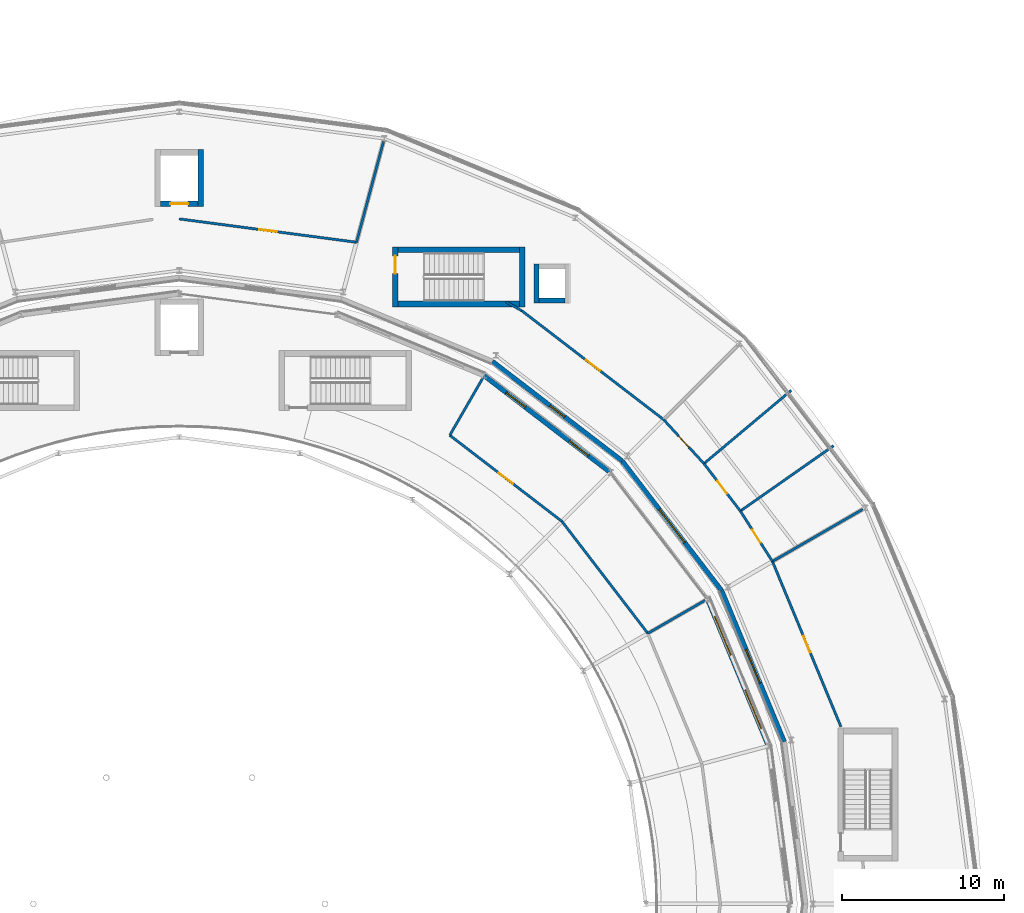
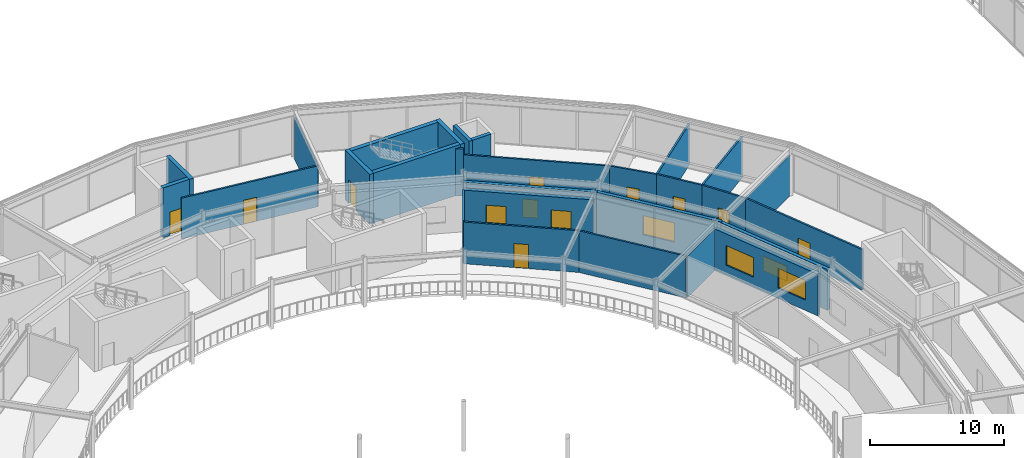
# One storey, part 106 of 133: 28 walls, 9 doors, 7 windows, 16 openings.
"""IFC4 building model written with IfcOpenShell, lengths in metres."""

from ifc_helpers import new_model, si_unit, direction, frame, frame_2d, origin, place, context, subcontext, project, spatial, rectangle, extrude, material, layer, layer_set, type_object, element, fill, save


model = new_model("IFC4")

# Units and contexts
model_context = context("Model", 3, precision=1e-05, world=origin(), true_north=direction((0.0, 1.0)))
body_context = subcontext(model_context, "Body", "Model", "MODEL_VIEW")
ifc_project = project(units=[si_unit("LENGTHUNIT", "METRE"), si_unit("AREAUNIT", "SQUARE_METRE"), si_unit("VOLUMEUNIT", "CUBIC_METRE"), si_unit("PLANEANGLEUNIT", "RADIAN"), si_unit("MASSUNIT", "GRAM", prefix="KILO")], contexts=[model_context])

# Site, building, storey
site_placement = place(None, origin())
site = spatial("IfcSite", under=ifc_project, at=site_placement, CompositionType="ELEMENT")
building_placement = place(site_placement, origin())
building = spatial("IfcBuilding", under=site, at=building_placement, Name="Almandine Court Research Institute", CompositionType="ELEMENT")
storey_placement = place(building_placement, frame((0.0, 0.0, 9.800048828125)))
storey = spatial("IfcBuildingStorey", under=building, at=storey_placement, Name="L02", CompositionType="ELEMENT", Elevation=9.800048828125)

# Wall, opening, window
ifc_material_1 = material(Name="Insulated Ochre Terracotta Rainscreen Wall", Category="masonry")
ifc_layer_1 = layer(ifc_material_1, 0.2900390625)
ifc_layer_set_1 = layer_set([ifc_layer_1], Name="Insulated Ochre Terracotta Rainscreen Wall")
wall_type_1 = type_object("IfcWallType", Name="Wall-EXT-TERR-290", PredefinedType="SOLIDWALL", material=ifc_layer_set_1)
wall_1_placement = place(storey_placement, frame((124.341064453125, 66.011962890625, 0.0), z_axis=(0.0, 0.0, 1.0), x_axis=(-0.382733240508, 0.92385889973, 0.0)))
wall_1 = element("IfcWall", 1, at=wall_1_placement, inside=storey, type_object=wall_type_1, Name="L02 Drum Inner Gallery Wall 01", PredefinedType="SOLIDWALL", context=body_context, shape_type="SweptSolid", body=[
    extrude(rectangle(XDim=10.08056640625, YDim=0.2900390625, at=frame_2d((5.040283203125, 0.0))), origin(), (0.0, 0.0, 1.0), 3.73291015625),
])
opening_1_placement = place(wall_1_placement, frame((3.909912109375, 0.0, 0.949951171875)))
opening_1 = element("IfcOpeningElement", 2, at=opening_1_placement, cuts=wall_1, Name="Opening WN-106", PredefinedType="OPENING", context=body_context, shape_type="SweptSolid", body=[
    extrude(rectangle(XDim=2.260009765625, YDim=1.35009765625, at=frame_2d((1.1298828125, 0.675048828125))), frame((0.0, 0.155029296875, 0.0), z_axis=(0.0, -1.0, 0.0), x_axis=(1.0, 0.0, 0.0)), (0.0, 0.0, 1.0), 0.31005859375),
])
ifc_material_2 = material(Name="Thermally Broken Low-E Double-Glazed Window", Category="glass")
window_type_1 = type_object("IfcWindowType", Name="Win-WN-106-2260x1350", PartitioningType="SINGLE_PANEL", PredefinedType="WINDOW", material=ifc_material_2)
window_1_placement = place(opening_1_placement, origin())
window_1 = element("IfcWindow", 3, at=window_1_placement, inside=storey, type_object=window_type_1, Name="L02 Modular Recessed Low-E Window 261", OverallHeight=1.35009765625, OverallWidth=2.260009765625, PartitioningType="SINGLE_PANEL", PredefinedType="WINDOW", context=body_context, shape_type="SweptSolid", body=[
    extrude(rectangle(XDim=2.260009765625, YDim=1.35009765625, at=frame_2d((1.1298828125, 0.675048828125))), frame((0.0, 0.030029296875, 0.0), z_axis=(0.0, -1.0, 0.0), x_axis=(1.0, 0.0, 0.0)), (0.0, 0.0, 1.0), 0.06005859375),
])
fill(opening_1, window_1)

wall_2_placement = place(storey_placement, frame((120.47705078125, 75.3349609375, 0.0), z_axis=(0.0, 0.0, 1.0), x_axis=(-0.608737604027, 0.793371621275, 0.0)))
wall_2 = element("IfcWall", 4, at=wall_2_placement, inside=storey, type_object=wall_type_1, Name="L02 Drum Inner Gallery Wall 02", PredefinedType="SOLIDWALL", context=body_context, shape_type="SweptSolid", body=[
    extrude(rectangle(XDim=10.079833984375, YDim=0.2900390625, at=frame_2d((5.0400390625, 0.0))), origin(), (0.0, 0.0, 1.0), 3.81396484375),
])
opening_2_placement = place(wall_2_placement, frame((3.7451171875, 0.0, 0.949951171875)))
opening_2 = element("IfcOpeningElement", 5, at=opening_2_placement, cuts=wall_2, Name="Opening WN-119", PredefinedType="OPENING", context=body_context, shape_type="SweptSolid", body=[
    extrude(rectangle(XDim=2.590087890625, YDim=1.75, at=frame_2d((1.294921875, 0.875))), frame((0.0, 0.155029296875, 0.0), z_axis=(0.0, -1.0, 0.0), x_axis=(1.0, 0.0, 0.0)), (0.0, 0.0, 1.0), 0.31005859375),
])
window_type_2 = type_object("IfcWindowType", Name="Win-WN-119-2590x1750", PartitioningType="SINGLE_PANEL", PredefinedType="WINDOW", material=ifc_material_2)
window_2_placement = place(opening_2_placement, origin())
window_2 = element("IfcWindow", 6, at=window_2_placement, inside=storey, type_object=window_type_2, Name="L02 Modular Recessed Low-E Window 262", OverallHeight=1.75, OverallWidth=2.590087890625, PartitioningType="SINGLE_PANEL", PredefinedType="WINDOW", context=body_context, shape_type="SweptSolid", body=[
    extrude(rectangle(XDim=2.590087890625, YDim=1.75, at=frame_2d((1.294921875, 0.875))), frame((0.0, 0.030029296875, 0.0), z_axis=(0.0, -1.0, 0.0), x_axis=(1.0, 0.0, 0.0)), (0.0, 0.0, 1.0), 0.06005859375),
])
fill(opening_2, window_2)

wall_3_placement = place(storey_placement, frame((114.33203125, 83.341064453125, 0.0), z_axis=(0.0, 0.0, 1.0), x_axis=(-0.793371621275, 0.608737604027, 0.0)))
wall_3 = element("IfcWall", 7, at=wall_3_placement, inside=storey, type_object=wall_type_1, Name="L02 Drum Inner Gallery Wall 03", PredefinedType="SOLIDWALL", context=body_context, shape_type="SweptSolid", body=[
    extrude(rectangle(XDim=10.079833984375, YDim=0.2900390625, at=frame_2d((5.0400390625, 0.0))), origin(), (0.0, 0.0, 1.0), 3.81396484375),
])
opening_3_placement = place(wall_3_placement, frame((4.4599609375, 0.0, 0.949951171875)))
opening_3 = element("IfcOpeningElement", 8, at=opening_3_placement, cuts=wall_3, Name="Opening WN-107", PredefinedType="OPENING", context=body_context, shape_type="SweptSolid", body=[
    extrude(rectangle(XDim=1.159912109375, YDim=1.669921875, at=frame_2d((0.580078125, 0.8349609375))), frame((0.0, 0.155029296875, 0.0), z_axis=(0.0, -1.0, 0.0), x_axis=(1.0, 0.0, 0.0)), (0.0, 0.0, 1.0), 0.31005859375),
])
window_type_3 = type_object("IfcWindowType", Name="Win-WN-107-1160x1670", PartitioningType="SINGLE_PANEL", PredefinedType="WINDOW", material=ifc_material_2)
window_3_placement = place(opening_3_placement, origin())
window_3 = element("IfcWindow", 9, at=window_3_placement, inside=storey, type_object=window_type_3, Name="L02 Modular Recessed Low-E Window 263", OverallHeight=1.669921875, OverallWidth=1.159912109375, PartitioningType="SINGLE_PANEL", PredefinedType="WINDOW", context=body_context, shape_type="SweptSolid", body=[
    extrude(rectangle(XDim=1.159912109375, YDim=1.669921875, at=frame_2d((0.580078125, 0.8349609375))), frame((0.0, 0.030029296875, 0.0), z_axis=(0.0, -1.0, 0.0), x_axis=(1.0, 0.0, 0.0)), (0.0, 0.0, 1.0), 0.06005859375),
])
fill(opening_3, window_3)

# Wall, openings, windows
wall_4_placement = place(storey_placement, frame((119.60693359375, 74.821044921875, 0.0), z_axis=(0.0, 0.0, 1.0), x_axis=(0.382759423628, -0.923848052238, 0.0)))
wall_4 = element("IfcWall", 10, at=wall_4_placement, inside=storey, type_object=wall_type_1, Name="L02 Interaction Atrium Perimeter Wall 01", PredefinedType="SOLIDWALL", context=body_context, shape_type="SweptSolid", body=[
    extrude(rectangle(XDim=9.82080078125, YDim=0.2900390625, at=frame_2d((4.910400390625, 0.0))), origin(), (0.0, 0.0, 1.0), 3.81103515625),
])
opening_4_placement = place(wall_4_placement, frame((1.159912109375, 0.0, 0.949951171875)))
opening_4 = element("IfcOpeningElement", 11, at=opening_4_placement, cuts=wall_4, Name="Opening WN-13", PredefinedType="OPENING", context=body_context, shape_type="SweptSolid", body=[
    extrude(rectangle(XDim=2.590087890625, YDim=1.800048828125, at=frame_2d((1.294921875, 0.89990234375))), frame((0.0, 0.155029296875, 0.0), z_axis=(0.0, -1.0, 0.0), x_axis=(1.0, 0.0, 0.0)), (0.0, 0.0, 1.0), 0.31005859375),
])
opening_5_placement = place(wall_4_placement, frame((6.071044921875, 0.0, 0.949951171875)))
opening_5 = element("IfcOpeningElement", 12, at=opening_5_placement, cuts=wall_4, Name="Opening WN-13", PredefinedType="OPENING", context=body_context, shape_type="SweptSolid", body=[
    extrude(rectangle(XDim=2.590087890625, YDim=1.800048828125, at=frame_2d((1.294921875, 0.89990234375))), frame((0.0, 0.155029296875, 0.0), z_axis=(0.0, -1.0, 0.0), x_axis=(1.0, 0.0, 0.0)), (0.0, 0.0, 1.0), 0.31005859375),
])
window_type_4 = type_object("IfcWindowType", Name="Win-WN-13-2590x1800", PartitioningType="SINGLE_PANEL", PredefinedType="WINDOW", material=ifc_material_2)
window_4_placement = place(opening_4_placement, origin())
window_4 = element("IfcWindow", 13, at=window_4_placement, inside=storey, type_object=window_type_4, Name="L02 Modular Recessed Low-E Window 358", OverallHeight=1.800048828125, OverallWidth=2.590087890625, PartitioningType="SINGLE_PANEL", PredefinedType="WINDOW", context=body_context, shape_type="SweptSolid", body=[
    extrude(rectangle(XDim=2.590087890625, YDim=1.800048828125, at=frame_2d((1.294921875, 0.89990234375))), frame((0.0, 0.030029296875, 0.0), z_axis=(0.0, -1.0, 0.0), x_axis=(1.0, 0.0, 0.0)), (0.0, 0.0, 1.0), 0.06005859375),
])
fill(opening_4, window_4)
window_5_placement = place(opening_5_placement, origin())
window_5 = element("IfcWindow", 14, at=window_5_placement, inside=storey, type_object=window_type_4, Name="L02 Modular Recessed Low-E Window 359", OverallHeight=1.800048828125, OverallWidth=2.590087890625, PartitioningType="SINGLE_PANEL", PredefinedType="WINDOW", context=body_context, shape_type="SweptSolid", body=[
    extrude(rectangle(XDim=2.590087890625, YDim=1.800048828125, at=frame_2d((1.294921875, 0.89990234375))), frame((0.0, 0.030029296875, 0.0), z_axis=(0.0, -1.0, 0.0), x_axis=(1.0, 0.0, 0.0)), (0.0, 0.0, 1.0), 0.06005859375),
])
fill(opening_5, window_5)

wall_5_placement = place(storey_placement, frame((105.827880859375, 88.60302734375, 0.0), z_axis=(0.0, 0.0, 1.0), x_axis=(0.793364612762, -0.608746738158, 0.0)))
wall_5 = element("IfcWall", 15, at=wall_5_placement, inside=storey, type_object=wall_type_1, Name="L02 Interaction Atrium Perimeter Wall 03", PredefinedType="SOLIDWALL", context=body_context, shape_type="SweptSolid", body=[
    extrude(rectangle(XDim=9.8203125, YDim=0.2900390625, at=frame_2d((4.91015625, 0.0))), origin(), (0.0, 0.0, 1.0), 3.81103515625),
])
opening_6_placement = place(wall_5_placement, frame((1.7099609375, 0.0, 0.949951171875)))
opening_6 = element("IfcOpeningElement", 16, at=opening_6_placement, cuts=wall_5, Name="Opening WN-14", PredefinedType="OPENING", context=body_context, shape_type="SweptSolid", body=[
    extrude(rectangle(XDim=1.489990234375, YDim=1.639892578125, at=frame_2d((0.7451171875, 0.81982421875))), frame((0.0, 0.155029296875, 0.0), z_axis=(0.0, -1.0, 0.0), x_axis=(1.0, 0.0, 0.0)), (0.0, 0.0, 1.0), 0.31005859375),
])
opening_7_placement = place(wall_5_placement, frame((6.6201171875, 0.0, 0.949951171875)))
opening_7 = element("IfcOpeningElement", 17, at=opening_7_placement, cuts=wall_5, Name="Opening WN-14", PredefinedType="OPENING", context=body_context, shape_type="SweptSolid", body=[
    extrude(rectangle(XDim=1.489990234375, YDim=1.639892578125, at=frame_2d((0.7451171875, 0.81982421875))), frame((0.0, 0.155029296875, 0.0), z_axis=(0.0, -1.0, 0.0), x_axis=(1.0, 0.0, 0.0)), (0.0, 0.0, 1.0), 0.31005859375),
])
window_type_5 = type_object("IfcWindowType", Name="Win-WN-14-1490x1640", PartitioningType="SINGLE_PANEL", PredefinedType="WINDOW", material=ifc_material_2)
window_6_placement = place(opening_6_placement, origin())
window_6 = element("IfcWindow", 18, at=window_6_placement, inside=storey, type_object=window_type_5, Name="L02 Modular Recessed Low-E Window 360", OverallHeight=1.639892578125, OverallWidth=1.489990234375, PartitioningType="SINGLE_PANEL", PredefinedType="WINDOW", context=body_context, shape_type="SweptSolid", body=[
    extrude(rectangle(XDim=1.489990234375, YDim=1.639892578125, at=frame_2d((0.7451171875, 0.81982421875))), frame((0.0, 0.030029296875, 0.0), z_axis=(0.0, -1.0, 0.0), x_axis=(1.0, 0.0, 0.0)), (0.0, 0.0, 1.0), 0.06005859375),
])
fill(opening_6, window_6)
window_7_placement = place(opening_7_placement, origin())
window_7 = element("IfcWindow", 19, at=window_7_placement, inside=storey, type_object=window_type_5, Name="L02 Modular Recessed Low-E Window 361", OverallHeight=1.639892578125, OverallWidth=1.489990234375, PartitioningType="SINGLE_PANEL", PredefinedType="WINDOW", context=body_context, shape_type="SweptSolid", body=[
    extrude(rectangle(XDim=1.489990234375, YDim=1.639892578125, at=frame_2d((0.7451171875, 0.81982421875))), frame((0.0, 0.030029296875, 0.0), z_axis=(0.0, -1.0, 0.0), x_axis=(1.0, 0.0, 0.0)), (0.0, 0.0, 1.0), 0.06005859375),
])
fill(opening_7, window_7)

# Wall, opening, door
ifc_material_3 = material(Name="Acoustic Steel-Stud Gypsum Partition Wall", Category="steel")
ifc_layer_2 = layer(ifc_material_3, 0.14990234375)
ifc_layer_set_2 = layer_set([ifc_layer_2], Name="Acoustic Steel-Stud Gypsum Partition Wall")
wall_type_2 = type_object("IfcWallType", Name="Wall-PART-150", PredefinedType="PARTITIONING", material=ifc_layer_set_2)
wall_6_placement = place(storey_placement, frame((123.615966796875, 77.139892578125, 0.0), z_axis=(0.0, 0.0, 1.0), x_axis=(-0.537290836095, 0.843397034289, 0.0)))
wall_6 = element("IfcWall", 20, at=wall_6_placement, inside=storey, type_object=wall_type_2, Name="L02 Interior Partition W-V5-L02-WC-1", PredefinedType="PARTITIONING", context=body_context, shape_type="SweptSolid", body=[
    extrude(rectangle(XDim=3.688720703125, YDim=0.14990234375, at=frame_2d((1.84423828125, 0.0))), origin(), (0.0, 0.0, 1.0), 3.737060546875),
])
opening_8_placement = place(wall_6_placement, frame((1.368896484375, 0.0, 0.0)))
opening_8 = element("IfcOpeningElement", 21, at=opening_8_placement, cuts=wall_6, Name="Opening D-01", PredefinedType="OPENING", context=body_context, shape_type="SweptSolid", body=[
    extrude(rectangle(XDim=0.949951171875, YDim=2.10009765625, at=frame_2d((0.47509765625, 1.050048828125))), frame((0.0, 0.0849609375, 0.0), z_axis=(0.0, -1.0, 0.0), x_axis=(1.0, 0.0, 0.0)), (0.0, 0.0, 1.0), 0.169921875),
])
ifc_material_4 = material(Name="Solid-Core Timber Acoustic Room Door", Category="wood")
door_type_1 = type_object("IfcDoorType", Name="Door-INT-950", OperationType="NOTDEFINED", PredefinedType="DOOR", material=ifc_material_4)
door_1_placement = place(opening_8_placement, origin())
door_1 = element("IfcDoor", 22, at=door_1_placement, inside=storey, type_object=door_type_1, Name="L02 Drum Male Toilet Door", OperationType="SINGLE_SWING_LEFT", OverallHeight=2.10009765625, OverallWidth=0.949951171875, PredefinedType="DOOR", context=body_context, shape_type="SweptSolid", body=[
    extrude(rectangle(XDim=0.949951171875, YDim=2.10009765625, at=frame_2d((0.47509765625, 1.050048828125))), frame((0.0, 0.02490234375, 0.0), z_axis=(0.0, -1.0, 0.0), x_axis=(1.0, 0.0, 0.0)), (0.0, 0.0, 1.0), 0.050048828125),
])
fill(opening_8, door_1)

wall_7_placement = place(storey_placement, frame((121.634033203125, 80.2509765625, 0.0), z_axis=(0.0, 0.0, 1.0), x_axis=(-0.608910806106, 0.793238696867, 0.0)))
wall_7 = element("IfcWall", 23, at=wall_7_placement, inside=storey, type_object=wall_type_2, Name="L02 Interior Partition W-V5-L02-WC-2", PredefinedType="PARTITIONING", context=body_context, shape_type="SweptSolid", body=[
    extrude(rectangle(XDim=3.688720703125, YDim=0.14990234375, at=frame_2d((1.84423828125, 0.0))), origin(), (0.0, 0.0, 1.0), 3.737060546875),
])
opening_9_placement = place(wall_7_placement, frame((1.368896484375, 0.0, 0.0)))
opening_9 = element("IfcOpeningElement", 24, at=opening_9_placement, cuts=wall_7, Name="Opening D-01", PredefinedType="OPENING", context=body_context, shape_type="SweptSolid", body=[
    extrude(rectangle(XDim=0.949951171875, YDim=2.10009765625, at=frame_2d((0.47509765625, 1.050048828125))), frame((0.0, 0.0849609375, 0.0), z_axis=(0.0, -1.0, 0.0), x_axis=(1.0, 0.0, 0.0)), (0.0, 0.0, 1.0), 0.169921875),
])
door_2_placement = place(opening_9_placement, origin())
door_2 = element("IfcDoor", 25, at=door_2_placement, inside=storey, type_object=door_type_1, Name="L02 Drum Female Toilet Door", OperationType="SINGLE_SWING_RIGHT", OverallHeight=2.10009765625, OverallWidth=0.949951171875, PredefinedType="DOOR", context=body_context, shape_type="SweptSolid", body=[
    extrude(rectangle(XDim=0.949951171875, YDim=2.10009765625, at=frame_2d((0.47509765625, 1.050048828125))), frame((0.0, 0.02490234375, 0.0), z_axis=(0.0, -1.0, 0.0), x_axis=(1.0, 0.0, 0.0)), (0.0, 0.0, 1.0), 0.050048828125),
])
fill(opening_9, door_2)

wall_8_placement = place(storey_placement, frame((119.387939453125, 83.177001953125, 0.0), z_axis=(0.0, 0.0, 1.0), x_axis=(-0.675655682507, 0.737217334778, 0.0)))
wall_8 = element("IfcWall", 26, at=wall_8_placement, inside=storey, type_object=wall_type_2, Name="L02 Interior Partition W-V5-L02-WC-3", PredefinedType="PARTITIONING", context=body_context, shape_type="SweptSolid", body=[
    extrude(rectangle(XDim=3.688232421875, YDim=0.14990234375, at=frame_2d((1.84423828125, 0.0))), origin(), (0.0, 0.0, 1.0), 3.737060546875),
])
opening_10_placement = place(wall_8_placement, frame((1.368896484375, 0.0, 0.0)))
opening_10 = element("IfcOpeningElement", 27, at=opening_10_placement, cuts=wall_8, Name="Opening D-01", PredefinedType="OPENING", context=body_context, shape_type="SweptSolid", body=[
    extrude(rectangle(XDim=0.949951171875, YDim=2.10009765625, at=frame_2d((0.47509765625, 1.050048828125))), frame((0.0, 0.0849609375, 0.0), z_axis=(0.0, -1.0, 0.0), x_axis=(1.0, 0.0, 0.0)), (0.0, 0.0, 1.0), 0.169921875),
])
door_3_placement = place(opening_10_placement, origin())
door_3 = element("IfcDoor", 28, at=door_3_placement, inside=storey, type_object=door_type_1, Name="L02 Drum Accessible WC Door", OperationType="SINGLE_SWING_LEFT", OverallHeight=2.10009765625, OverallWidth=0.949951171875, PredefinedType="DOOR", context=body_context, shape_type="SweptSolid", body=[
    extrude(rectangle(XDim=0.949951171875, YDim=2.10009765625, at=frame_2d((0.47509765625, 1.050048828125))), frame((0.0, 0.02490234375, 0.0), z_axis=(0.0, -1.0, 0.0), x_axis=(1.0, 0.0, 0.0)), (0.0, 0.0, 1.0), 0.050048828125),
])
fill(opening_10, door_3)

# Walls
wall_9_placement = place(storey_placement, frame((123.615966796875, 77.139892578125, 0.0), z_axis=(0.0, 0.0, 1.0), x_axis=(0.866008816382, 0.500028729123, 0.0)))
element("IfcWall", 29, at=wall_9_placement, inside=storey, type_object=wall_type_2, Name="L02 Interior Partition W-V5-L02-WCRAD-1", PredefinedType="PARTITIONING", context=body_context, shape_type="SweptSolid", body=[
    extrude(rectangle(XDim=6.43994140625, YDim=0.14990234375, at=frame_2d((3.219970703125, 0.0))), origin(), (0.0, 0.0, 1.0), 3.737060546875),
])
wall_10_placement = place(storey_placement, frame((121.634033203125, 80.2509765625, 0.0), z_axis=(0.0, 0.0, 1.0), x_axis=(0.819156749665, 0.573569716318, 0.0)))
element("IfcWall", 30, at=wall_10_placement, inside=storey, type_object=wall_type_2, Name="L02 Interior Partition W-V5-L02-WCRAD-2", PredefinedType="PARTITIONING", context=body_context, shape_type="SweptSolid", body=[
    extrude(rectangle(XDim=7.01953125, YDim=0.14990234375, at=frame_2d((3.509765625, 0.0))), origin(), (0.0, 0.0, 1.0), 3.737060546875),
])
wall_11_placement = place(storey_placement, frame((119.387939453125, 83.177001953125, 0.0), z_axis=(0.0, 0.0, 1.0), x_axis=(0.766104816456, 0.642715652682, 0.0)))
element("IfcWall", 31, at=wall_11_placement, inside=storey, type_object=wall_type_2, Name="L02 Interior Partition W-V5-L02-WCRAD-3", PredefinedType="PARTITIONING", context=body_context, shape_type="SweptSolid", body=[
    extrude(rectangle(XDim=7.020263671875, YDim=0.14990234375, at=frame_2d((3.51025390625, 0.0))), origin(), (0.0, 0.0, 1.0), 3.737060546875),
])

# Wall, opening, door
wall_12_placement = place(storey_placement, frame((127.839111328125, 66.943115234375, 0.0), z_axis=(0.0, 0.0, 1.0), x_axis=(-0.382644845446, 0.923895514793, 0.0)))
wall_12 = element("IfcWall", 32, at=wall_12_placement, inside=storey, type_object=wall_type_2, Name="L02 Interior Partition W-V5-L02-CHD-01", PredefinedType="PARTITIONING", context=body_context, shape_type="SweptSolid", body=[
    extrude(rectangle(XDim=11.03662109375, YDim=0.14990234375, at=frame_2d((5.518310546875, 0.0))), origin(), (0.0, 0.0, 1.0), 3.737060546875),
])
opening_11_placement = place(wall_12_placement, frame((4.949951171875, 0.0, 0.0)))
opening_11 = element("IfcOpeningElement", 33, at=opening_11_placement, cuts=wall_12, Name="Opening D-03", PredefinedType="OPENING", context=body_context, shape_type="SweptSolid", body=[
    extrude(rectangle(XDim=1.10009765625, YDim=2.199951171875, at=frame_2d((0.550048828125, 1.10009765625))), frame((0.0, 0.0849609375, 0.0), z_axis=(0.0, -1.0, 0.0), x_axis=(1.0, 0.0, 0.0)), (0.0, 0.0, 1.0), 0.169921875),
])
ifc_material_5 = material(Name="Acoustic Vision-Panel Seminar Door")
door_type_2 = type_object("IfcDoorType", Name="Door-INT-1100", OperationType="NOTDEFINED", PredefinedType="DOOR", material=ifc_material_5)
door_4_placement = place(opening_11_placement, origin())
door_4 = element("IfcDoor", 34, at=door_4_placement, inside=storey, type_object=door_type_2, Name="L02 Drum Bioinformatics Laboratory Door", OperationType="SINGLE_SWING_LEFT", OverallHeight=2.199951171875, OverallWidth=1.10009765625, PredefinedType="DOOR", context=body_context, shape_type="SweptSolid", body=[
    extrude(rectangle(XDim=1.10009765625, YDim=2.199951171875, at=frame_2d((0.550048828125, 1.10009765625))), frame((0.0, 0.02490234375, 0.0), z_axis=(0.0, -1.0, 0.0), x_axis=(1.0, 0.0, 0.0)), (0.0, 0.0, 1.0), 0.050048828125),
])
fill(opening_11, door_4)

wall_13_placement = place(storey_placement, frame((116.89599609375, 85.89599609375, 0.0), z_axis=(0.0, 0.0, 1.0), x_axis=(-0.793301872689, 0.608828497024, 0.0)))
wall_13 = element("IfcWall", 35, at=wall_13_placement, inside=storey, type_object=wall_type_2, Name="L02 Interior Partition W-V5-L02-CHD-03", PredefinedType="PARTITIONING", context=body_context, shape_type="SweptSolid", body=[
    extrude(rectangle(XDim=11.03759765625, YDim=0.14990234375, at=frame_2d((5.518798828125, 0.0))), origin(), (0.0, 0.0, 1.0), 3.737060546875),
])
opening_12_placement = place(wall_13_placement, frame((4.949951171875, 0.0, 0.0)))
opening_12 = element("IfcOpeningElement", 36, at=opening_12_placement, cuts=wall_13, Name="Opening D-03", PredefinedType="OPENING", context=body_context, shape_type="SweptSolid", body=[
    extrude(rectangle(XDim=1.10009765625, YDim=2.199951171875, at=frame_2d((0.550048828125, 1.10009765625))), frame((0.0, 0.0849609375, 0.0), z_axis=(0.0, -1.0, 0.0), x_axis=(1.0, 0.0, 0.0)), (0.0, 0.0, 1.0), 0.169921875),
])
door_5_placement = place(opening_12_placement, origin())
door_5 = element("IfcDoor", 37, at=door_5_placement, inside=storey, type_object=door_type_2, Name="L02 Drum Instrument Room Door", OperationType="SINGLE_SWING_RIGHT", OverallHeight=2.199951171875, OverallWidth=1.10009765625, PredefinedType="DOOR", context=body_context, shape_type="SweptSolid", body=[
    extrude(rectangle(XDim=1.10009765625, YDim=2.199951171875, at=frame_2d((0.550048828125, 1.10009765625))), frame((0.0, 0.02490234375, 0.0), z_axis=(0.0, -1.0, 0.0), x_axis=(1.0, 0.0, 0.0)), (0.0, 0.0, 1.0), 0.050048828125),
])
fill(opening_12, door_5)

# Wall
wall_14_placement = place(storey_placement, frame((108.139892578125, 92.615966796875, 0.0), z_axis=(0.0, 0.0, 1.0), x_axis=(-0.872821867213, 0.488038920697, 0.0)))
element("IfcWall", 38, at=wall_14_placement, inside=storey, type_object=wall_type_2, Name="L02 Interior Partition W-V5-L02-CHD-04", PredefinedType="PARTITIONING", context=body_context, shape_type="SweptSolid", body=[
    extrude(rectangle(XDim=1.1064453125, YDim=0.14990234375, at=frame_2d((0.55322265625, 0.0))), origin(), (0.0, 0.0, 1.0), 4.300048828125),
])

# Wall, opening, door
wall_15_placement = place(storey_placement, frame((97.943115234375, 96.839111328125, 0.0), z_axis=(0.0, 0.0, 1.0), x_axis=(-0.991442170204, 0.130546632054, 0.0)))
wall_15 = element("IfcWall", 39, at=wall_15_placement, inside=storey, type_object=wall_type_2, Name="L02 Interior Partition W-V5-L02-CHD-05", PredefinedType="PARTITIONING", context=body_context, shape_type="SweptSolid", body=[
    extrude(rectangle(XDim=11.03759765625, YDim=0.14990234375, at=frame_2d((5.518798828125, 0.0))), origin(), (0.0, 0.0, 1.0), 3.737060546875),
])
opening_13_placement = place(wall_15_placement, frame((4.949951171875, 0.0, 0.0)))
opening_13 = element("IfcOpeningElement", 40, at=opening_13_placement, cuts=wall_15, Name="Opening D-03", PredefinedType="OPENING", context=body_context, shape_type="SweptSolid", body=[
    extrude(rectangle(XDim=1.10009765625, YDim=2.199951171875, at=frame_2d((0.550048828125, 1.10009765625))), frame((0.0, 0.0849609375, 0.0), z_axis=(0.0, -1.0, 0.0), x_axis=(1.0, 0.0, 0.0)), (0.0, 0.0, 1.0), 0.169921875),
])
door_6_placement = place(opening_13_placement, origin())
door_6 = element("IfcDoor", 41, at=door_6_placement, inside=storey, type_object=door_type_2, Name="L02 Drum Reference Library Door", OperationType="SINGLE_SWING_LEFT", OverallHeight=2.199951171875, OverallWidth=1.10009765625, PredefinedType="DOOR", context=body_context, shape_type="SweptSolid", body=[
    extrude(rectangle(XDim=1.10009765625, YDim=2.199951171875, at=frame_2d((0.550048828125, 1.10009765625))), frame((0.0, 0.02490234375, 0.0), z_axis=(0.0, -1.0, 0.0), x_axis=(1.0, 0.0, 0.0)), (0.0, 0.0, 1.0), 0.050048828125),
])
fill(opening_13, door_6)

# Walls
wall_16_placement = place(storey_placement, frame((97.943115234375, 96.839111328125, 0.0), z_axis=(0.0, 0.0, 1.0), x_axis=(0.258832719409, 0.965922162166, 0.0)))
element("IfcWall", 42, at=wall_16_placement, inside=storey, type_object=wall_type_2, Name="L02 Interior Partition W-V5-L02-RAD-05", PredefinedType="PARTITIONING", context=body_context, shape_type="SweptSolid", body=[
    extrude(rectangle(XDim=6.4404296875, YDim=0.14990234375, at=frame_2d((3.22021484375, 0.0))), origin(), (0.0, 0.0, 1.0), 3.737060546875),
])
wall_17_placement = place(storey_placement, frame((115.925048828125, 72.699951171875, 0.0), z_axis=(0.0, 0.0, 1.0), x_axis=(-0.608798294056, 0.793325051384, 0.0)))
element("IfcWall", 43, at=wall_17_placement, inside=storey, type_object=wall_type_2, Name="L02 Interior Partition W-V2-L02-CHD-02", PredefinedType="PARTITIONING", context=body_context, shape_type="SweptSolid", body=[
    extrude(rectangle(XDim=8.718994140625, YDim=0.14990234375, at=frame_2d((4.359375, 0.0))), origin(), (0.0, 0.0, 1.0), 3.81494140625),
])

# Wall, opening, door
wall_18_placement = place(storey_placement, frame((110.616943359375, 79.616943359375, 0.0), z_axis=(0.0, 0.0, 1.0), x_axis=(-0.793325051384, 0.608798294056, 0.0)))
wall_18 = element("IfcWall", 44, at=wall_18_placement, inside=storey, type_object=wall_type_2, Name="L02 Interior Partition W-V2-L02-CHD-03", PredefinedType="PARTITIONING", context=body_context, shape_type="SweptSolid", body=[
    extrude(rectangle(XDim=8.718994140625, YDim=0.14990234375, at=frame_2d((4.359375, 0.0))), origin(), (0.0, 0.0, 1.0), 3.81494140625),
])
opening_14_placement = place(wall_18_placement, frame((3.81005859375, 0.0, 0.0)))
opening_14 = element("IfcOpeningElement", 45, at=opening_14_placement, cuts=wall_18, Name="Opening D-03", PredefinedType="OPENING", context=body_context, shape_type="SweptSolid", body=[
    extrude(rectangle(XDim=1.10009765625, YDim=2.199951171875, at=frame_2d((0.550048828125, 1.10009765625))), frame((0.0, 0.0849609375, 0.0), z_axis=(0.0, -1.0, 0.0), x_axis=(1.0, 0.0, 0.0)), (0.0, 0.0, 1.0), 0.169921875),
])
door_7_placement = place(opening_14_placement, origin())
door_7 = element("IfcDoor", 46, at=door_7_placement, inside=storey, type_object=door_type_2, Name="L02 Atrium Collaboration Gallery Door", OperationType="SINGLE_SWING_LEFT", OverallHeight=2.199951171875, OverallWidth=1.10009765625, PredefinedType="DOOR", context=body_context, shape_type="SweptSolid", body=[
    extrude(rectangle(XDim=1.10009765625, YDim=2.199951171875, at=frame_2d((0.550048828125, 1.10009765625))), frame((0.0, 0.02490234375, 0.0), z_axis=(0.0, -1.0, 0.0), x_axis=(1.0, 0.0, 0.0)), (0.0, 0.0, 1.0), 0.050048828125),
])
fill(opening_14, door_7)

# Walls
wall_19_placement = place(storey_placement, frame((115.925048828125, 72.699951171875, 0.0), z_axis=(0.0, 0.0, 1.0), x_axis=(0.866055070284, 0.499948612594, 0.0)))
element("IfcWall", 47, at=wall_19_placement, inside=storey, type_object=wall_type_2, Name="L02 Interior Partition W-V2-L02-RAD-02", PredefinedType="PARTITIONING", context=body_context, shape_type="SweptSolid", body=[
    extrude(rectangle(XDim=4.08056640625, YDim=0.14990234375, at=frame_2d((2.040283203125, 0.0))), origin(), (0.0, 0.0, 1.0), 3.81494140625),
])
wall_20_placement = place(storey_placement, frame((103.699951171875, 84.925048828125, 0.0), z_axis=(0.0, 0.0, 1.0), x_axis=(0.499948612594, 0.866055070284, 0.0)))
element("IfcWall", 48, at=wall_20_placement, inside=storey, type_object=wall_type_2, Name="L02 Interior Partition W-V2-L02-RAD-04", PredefinedType="PARTITIONING", context=body_context, shape_type="SweptSolid", body=[
    extrude(rectangle(XDim=4.08056640625, YDim=0.14990234375, at=frame_2d((2.040283203125, 0.0))), origin(), (0.0, 0.0, 1.0), 3.89697265625),
])
ifc_material_6 = material(Name="Concrete C40/50", Category="concrete")
ifc_layer_3 = layer(ifc_material_6, 0.300048828125)
ifc_layer_set_3 = layer_set([ifc_layer_3], Name="Concrete C40/50")
wall_type_3 = type_object("IfcWallType", Name="Wall-SW-CORE-300", PredefinedType="SHEAR", material=ifc_layer_set_3)
wall_21_placement = place(storey_placement, frame((109.050048828125, 93.10009765625, 0.0), z_axis=(0.0, 0.0, 1.0), x_axis=(0.0, 1.0, 0.0)))
element("IfcWall", 49, at=wall_21_placement, inside=storey, type_object=wall_type_3, Name="L02 MEP Riser RS-V5A W Shear Wall", PredefinedType="SHEAR", context=body_context, shape_type="SweptSolid", body=[
    extrude(rectangle(XDim=2.39990234375, YDim=0.300048828125, at=frame_2d((1.199951171875, 0.0))), origin(), (0.0, 0.0, 1.0), 4.369873046875),
])
wall_22_placement = place(storey_placement, frame((110.800048828125, 93.25, 0.0), z_axis=(0.0, 0.0, 1.0), x_axis=(-1.0, 0.0, 0.0)))
element("IfcWall", 50, at=wall_22_placement, inside=storey, type_object=wall_type_3, Name="L02 MEP Riser RS-V5A S Shear Wall", PredefinedType="SHEAR", context=body_context, shape_type="SweptSolid", body=[
    extrude(rectangle(XDim=1.60009765625, YDim=0.300048828125, at=frame_2d((0.800048828125, 0.0))), origin(), (0.0, 0.0, 1.0), 4.369873046875),
])

# Wall, opening, door
ifc_layer_4 = layer(ifc_material_6, 0.35009765625)
ifc_layer_set_4 = layer_set([ifc_layer_4], Name="Concrete C40/50")
wall_type_4 = type_object("IfcWallType", Name="Wall-SW-CORE-350", PredefinedType="SHEAR", material=ifc_layer_set_4)
wall_23_placement = place(storey_placement, frame((100.324951171875, 92.85009765625, 0.0), z_axis=(0.0, 0.0, 1.0), x_axis=(0.0, 1.0, 0.0)))
wall_23 = element("IfcWall", 51, at=wall_23_placement, inside=storey, type_object=wall_type_4, Name="L02 ST-09 W Shear Wall", PredefinedType="SHEAR", context=body_context, shape_type="SweptSolid", body=[
    extrude(rectangle(XDim=3.699951171875, YDim=0.35009765625, at=frame_2d((1.85009765625, 0.0))), origin(), (0.0, 0.0, 1.0), 4.550048828125),
])
opening_15_placement = place(wall_23_placement, frame((2.050048828125, 0.0, 0.0)))
opening_15 = element("IfcOpeningElement", 52, at=opening_15_placement, cuts=wall_23, Name="Opening FD-STAIR", PredefinedType="OPENING", context=body_context, shape_type="SweptSolid", body=[
    extrude(rectangle(XDim=1.10009765625, YDim=2.14990234375, at=frame_2d((0.550048828125, 1.074951171875))), frame((0.0, 0.18505859375, 0.0), z_axis=(0.0, -1.0, 0.0), x_axis=(1.0, 0.0, 0.0)), (0.0, 0.0, 1.0), 0.3701171875),
])
ifc_material_7 = material(Name="Self-Closing Steel Exit Stair Fire Door", Category="steel")
door_type_3 = type_object("IfcDoorType", Name="Door-FD-STAIR-1100", OperationType="NOTDEFINED", PredefinedType="DOOR", material=ifc_material_7)
door_8_placement = place(opening_15_placement, origin())
door_8 = element("IfcDoor", 53, at=door_8_placement, inside=storey, type_object=door_type_3, Name="L02 Exit Stair ST-09 Fire Door", OperationType="SINGLE_SWING_RIGHT", OverallHeight=2.14990234375, OverallWidth=1.10009765625, PredefinedType="DOOR", context=body_context, shape_type="SweptSolid", body=[
    extrude(rectangle(XDim=1.10009765625, YDim=2.14990234375, at=frame_2d((0.550048828125, 1.074951171875))), frame((0.0, 0.02490234375, 0.0), z_axis=(0.0, -1.0, 0.0), x_axis=(1.0, 0.0, 0.0)), (0.0, 0.0, 1.0), 0.050048828125),
])
fill(opening_15, door_8)

# Walls
wall_24_placement = place(storey_placement, frame((100.5, 96.375, 0.0), z_axis=(0.0, 0.0, 1.0), x_axis=(1.0, 0.0, 0.0)))
element("IfcWall", 54, at=wall_24_placement, inside=storey, type_object=wall_type_4, Name="L02 ST-09 N Shear Wall", PredefinedType="SHEAR", context=body_context, shape_type="SweptSolid", body=[
    extrude(rectangle(XDim=7.5, YDim=0.35009765625, at=frame_2d((3.75, 0.0))), origin(), (0.0, 0.0, 1.0), 4.550048828125),
])
wall_25_placement = place(storey_placement, frame((108.175048828125, 96.550048828125, 0.0), z_axis=(0.0, 0.0, 1.0), x_axis=(0.0, -1.0, 0.0)))
element("IfcWall", 55, at=wall_25_placement, inside=storey, type_object=wall_type_4, Name="L02 ST-09 E Shear Wall", PredefinedType="SHEAR", context=body_context, shape_type="SweptSolid", body=[
    extrude(rectangle(XDim=3.699951171875, YDim=0.35009765625, at=frame_2d((1.85009765625, 0.0))), origin(), (0.0, 0.0, 1.0), 4.550048828125),
])
wall_26_placement = place(storey_placement, frame((108.0, 93.02490234375, 0.0), z_axis=(0.0, 0.0, 1.0), x_axis=(-1.0, 0.0, 0.0)))
element("IfcWall", 56, at=wall_26_placement, inside=storey, type_object=wall_type_4, Name="L02 ST-09 S Shear Wall", PredefinedType="SHEAR", context=body_context, shape_type="SweptSolid", body=[
    extrude(rectangle(XDim=7.5, YDim=0.35009765625, at=frame_2d((3.75, 0.0))), origin(), (0.0, 0.0, 1.0), 4.550048828125),
])
wall_27_placement = place(storey_placement, frame((88.324951171875, 102.550048828125, 0.0), z_axis=(0.0, 0.0, 1.0), x_axis=(0.0, -1.0, 0.0)))
element("IfcWall", 57, at=wall_27_placement, inside=storey, type_object=wall_type_4, Name="L02 PL-04 Hoistway E Shear Wall", PredefinedType="SHEAR", context=body_context, shape_type="SweptSolid", body=[
    extrude(rectangle(XDim=3.5, YDim=0.35009765625, at=frame_2d((1.75, 0.0))), origin(), (0.0, 0.0, 1.0), 4.550048828125),
])

# Wall, opening, door
wall_28_placement = place(storey_placement, frame((88.14990234375, 99.22509765625, 0.0), z_axis=(0.0, 0.0, 1.0), x_axis=(-1.0, 0.0, 0.0)))
wall_28 = element("IfcWall", 58, at=wall_28_placement, inside=storey, type_object=wall_type_4, Name="L02 PL-04 Hoistway S Shear Wall", PredefinedType="SHEAR", context=body_context, shape_type="SweptSolid", body=[
    extrude(rectangle(XDim=2.2998046875, YDim=0.35009765625, at=frame_2d((1.14990234375, 0.0))), origin(), (0.0, 0.0, 1.0), 4.550048828125),
])
opening_16_placement = place(wall_28_placement, frame((0.60009765625, 0.0, 0.0)))
opening_16 = element("IfcOpeningElement", 59, at=opening_16_placement, cuts=wall_28, Name="Opening LD-01", PredefinedType="OPENING", context=body_context, shape_type="SweptSolid", body=[
    extrude(rectangle(XDim=1.10009765625, YDim=2.14990234375, at=frame_2d((0.550048828125, 1.074951171875))), frame((0.0, 0.18505859375, 0.0), z_axis=(0.0, -1.0, 0.0), x_axis=(1.0, 0.0, 0.0)), (0.0, 0.0, 1.0), 0.3701171875),
])
ifc_material_8 = material(Name="Stainless Steel Lift Landing Sliding Door", Category="steel")
door_type_4 = type_object("IfcDoorType", Name="Door-LD-PASS-1100", OperationType="SLIDING_TO_LEFT", PredefinedType="USERDEFINED", material=ifc_material_8)
door_9_placement = place(opening_16_placement, origin())
door_9 = element("IfcDoor", 60, at=door_9_placement, inside=storey, type_object=door_type_4, Name="L02 Dry Laboratory Drum Passenger Lift PL-04 Sliding Landing Door", ObjectType="LANDING DOOR", OperationType="SLIDING_TO_LEFT", OverallHeight=2.14990234375, OverallWidth=1.10009765625, PredefinedType="USERDEFINED", context=body_context, shape_type="SweptSolid", body=[
    extrude(rectangle(XDim=1.10009765625, YDim=2.14990234375, at=frame_2d((0.550048828125, 1.074951171875))), frame((0.0, 0.02490234375, 0.0), z_axis=(0.0, -1.0, 0.0), x_axis=(1.0, 0.0, 0.0)), (0.0, 0.0, 1.0), 0.050048828125),
])
fill(opening_16, door_9)

save(model, "model.ifc")
